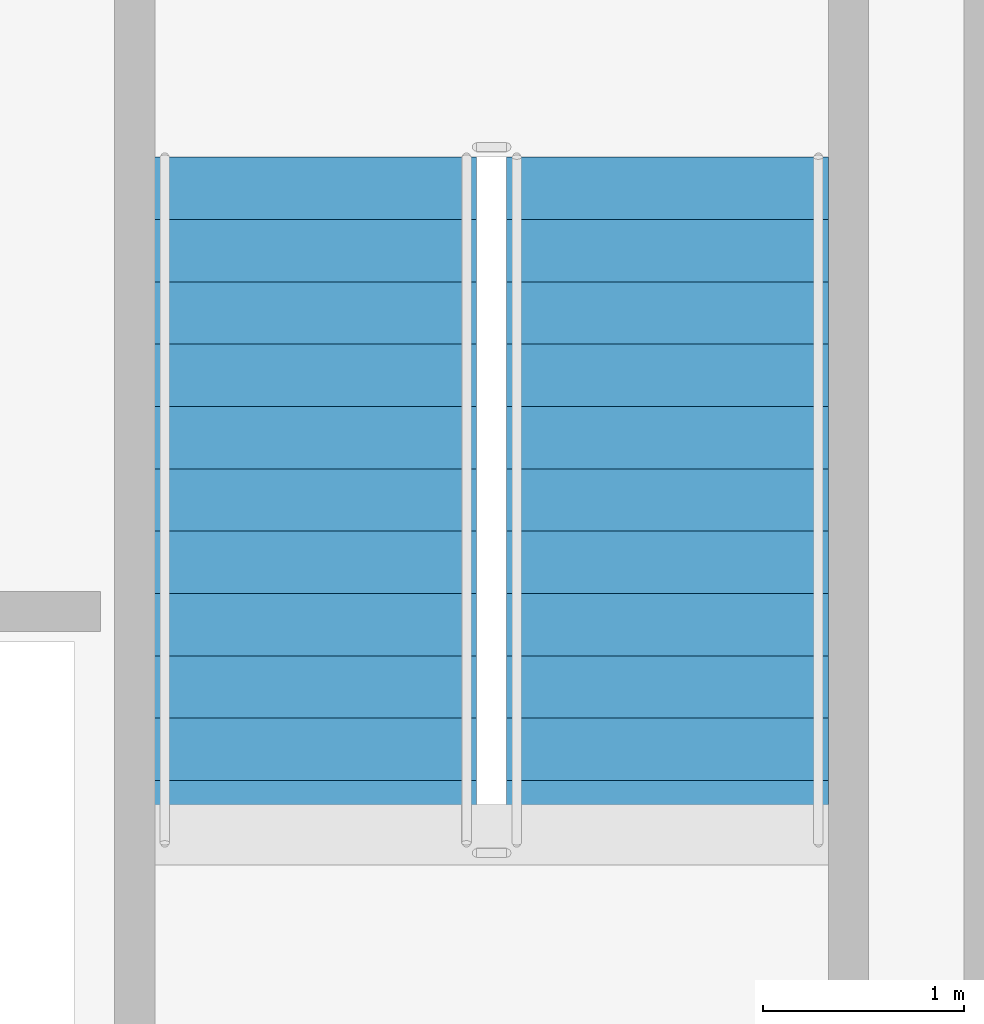
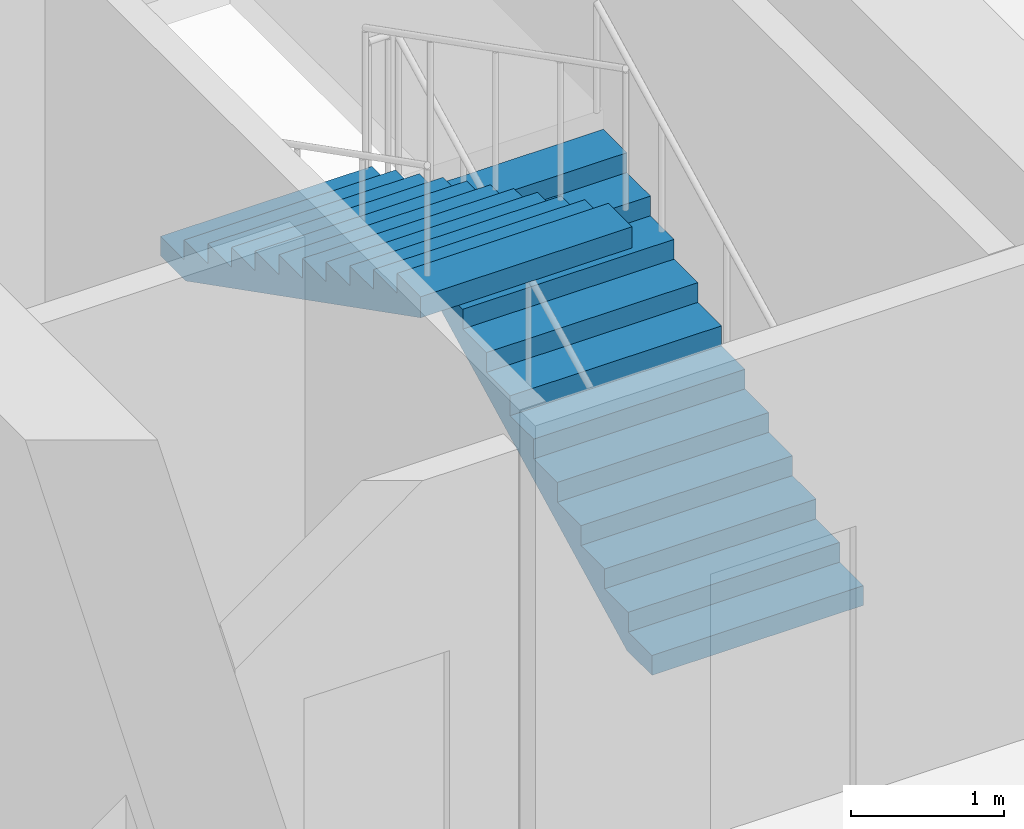
# One storey, part 10 of 14: 2 stair flights, 1 element without a shape of its own.
"""IFC4 building model written with IfcOpenShell, lengths in metres."""

import ifcopenshell
import ifcopenshell.guid

model = None  # the IFC model being written
_history = None  # IfcOwnerHistory: only IFC2X3 demands one
_inside = {}  # id of a spatial element -> (the spatial element, [elements in it])
_under = {}  # id of a project, library or spatial element -> (it, [spatial elements below it])
_declared = {}  # id of a project -> (the project, [libraries it declares])
_typed = {}  # id of a type object -> (the type object, [elements of that type])
_made_of = {}  # id of a material, layer set ... -> (it, [elements and type objects made of it])


def new_model(schema):
    """Start an empty IFC model of exactly this schema.

    Asked for "IFC4X3", IfcOpenShell would pick the latest addendum, in which some entities
    have other attributes; the version numbers below select the first issue.
    IFC2X3 requires an IfcOwnerHistory on every rooted entity: one is made here for all.
    """
    global model, _history
    if schema == "IFC4X3":
        model = ifcopenshell.file(schema_version=(4, 3, 0, 0))
    else:
        model = ifcopenshell.file(schema=schema)
    _inside.clear()
    _under.clear()
    _declared.clear()
    _typed.clear()
    _made_of.clear()
    _history = None
    if model.schema == "IFC2X3":
        org = make("IfcOrganization", Name="unknown")
        user = make(
            "IfcPersonAndOrganization",
            ThePerson=make("IfcPerson", FamilyName="unknown"),
            TheOrganization=org,
        )
        app = make(
            "IfcApplication",
            ApplicationDeveloper=org,
            Version="unknown",
            ApplicationFullName="unknown",
            ApplicationIdentifier="unknown",
        )
        _history = make(
            "IfcOwnerHistory",
            OwningUser=user,
            OwningApplication=app,
            ChangeAction="ADDED",
            CreationDate=0,
        )
    return model


def make(cls, **values):
    """One entity of the class cls with the attributes given. An attribute that is None is left unset."""
    return model.create_entity(
        cls, **{name: value for name, value in values.items() if value is not None}
    )


def rooted(cls, **values):
    """An entity with a GlobalId (a new one), such as an element, a storey or a relation."""
    return make(cls, GlobalId=ifcopenshell.guid.new(), OwnerHistory=_history, **values)


def si_unit(unit_type, name, prefix=None):
    """IfcSIUnit, for example si_unit("LENGTHUNIT", "METRE", prefix="MILLI")."""
    return make("IfcSIUnit", UnitType=unit_type, Prefix=prefix, Name=name)


def assignment(units):
    """IfcUnitAssignment: the units of a project."""
    return None if units is None else make("IfcUnitAssignment", Units=units)


def point(xyz):
    """IfcCartesianPoint."""
    return None if xyz is None else make("IfcCartesianPoint", Coordinates=xyz)


def direction(xyz):
    """IfcDirection."""
    return None if xyz is None else make("IfcDirection", DirectionRatios=xyz)


def frame(location, z_axis=None, x_axis=None):
    """IfcAxis2Placement3D, a coordinate frame: its origin and axes. An axis left out is left unset."""
    return make(
        "IfcAxis2Placement3D",
        Location=point(location),
        Axis=direction(z_axis),
        RefDirection=direction(x_axis),
    )


def origin():
    """The frame at (0, 0, 0) with its axes left unset."""
    return frame((0.0, 0.0, 0.0))


def place(relative_to, where):
    """IfcLocalPlacement: puts the frame where relative to a parent placement (None: the world)."""
    return make(
        "IfcLocalPlacement", PlacementRelTo=relative_to, RelativePlacement=where
    )


def context(
    kind, dimensions, precision=None, world=None, true_north=None, identifier=None
):
    """IfcGeometricRepresentationContext, for example the 3D "Model" context."""
    return make(
        "IfcGeometricRepresentationContext",
        ContextIdentifier=identifier,
        ContextType=kind,
        CoordinateSpaceDimension=dimensions,
        Precision=precision,
        WorldCoordinateSystem=world,
        TrueNorth=true_north,
    )


def subcontext(parent, identifier, kind, view, scale=None):
    """IfcGeometricRepresentationSubContext, for example "Body" below "Model"."""
    return make(
        "IfcGeometricRepresentationSubContext",
        ContextIdentifier=identifier,
        ContextType=kind,
        ParentContext=parent,
        TargetScale=scale,
        TargetView=view,
    )


def project(units=None, contexts=None):
    """IfcProject with its units and contexts."""
    return rooted(
        "IfcProject",
        Name="project",
        RepresentationContexts=contexts,
        UnitsInContext=assignment(units),
    )


def spatial(cls, under=None, at=None, **own):
    """A site, building, storey or space (cls), placed at a placement, below another one or the project."""
    s = rooted(cls, ObjectPlacement=at, **own)
    if under is not None:
        _under.setdefault(under.id(), (under, []))[1].append(s)
    return s


def polyline(points):
    """IfcPolyline through the points."""
    return make("IfcPolyline", Points=[point(p) for p in points])


def outline(outer, holes=None, kind="AREA"):
    """IfcArbitraryClosedProfileDef: a profile drawn as a closed curve; with holes, ...WithVoids."""
    if holes is None:
        return make("IfcArbitraryClosedProfileDef", ProfileType=kind, OuterCurve=outer)
    return make(
        "IfcArbitraryProfileDefWithVoids",
        ProfileType=kind,
        OuterCurve=outer,
        InnerCurves=holes,
    )


def extrude(swept, where, along, depth):
    """IfcExtrudedAreaSolid: the profile swept, set in the frame where, extruded along a direction by depth."""
    return make(
        "IfcExtrudedAreaSolid",
        SweptArea=swept,
        Position=where,
        ExtrudedDirection=direction(along),
        Depth=depth,
    )


def shape(context_of_items, identifier, shape_type, items):
    """IfcShapeRepresentation: the items that make up one representation, for example the "Body"."""
    return make(
        "IfcShapeRepresentation",
        ContextOfItems=context_of_items,
        RepresentationIdentifier=identifier,
        RepresentationType=shape_type,
        Items=items,
    )


def material(Name=None, Category=None):
    """IfcMaterial."""
    return make("IfcMaterial", Name=Name, Category=Category)


def made_of(thing, what):
    """Note that an element or type object is made of a material, layer set ...; save() writes the relation."""
    if what is not None:
        _made_of.setdefault(what.id(), (what, []))[1].append(thing)
    return thing


def type_object(cls, material=None, **own):
    """A type object (cls), such as IfcWallType, which elements share."""
    return made_of(rooted(cls, **own), material)


def element(
    cls,
    number,
    at=None,
    inside=None,
    cuts=None,
    type_object=None,
    material=None,
    context=None,
    identifier="Body",
    shape_type=None,
    held_by="IfcProductDefinitionShape",
    body=None,
    shapes=None,
    **own,
):
    """One element of the class cls, such as IfcWall. Its Tag is "e" and its number.

    at: its placement. inside: the storey or other place that contains it. cuts: it is an
    opening in that element (IfcRelVoidsElement). A single representation is given by context,
    identifier, shape_type and body (its items); several are given by shapes. held_by: the class
    of the entity that holds the representations. save() writes the other relations.
    """
    e = rooted(cls, Tag="e%d" % number, ObjectPlacement=at, **own)
    if body is not None:
        shapes = [shape(context, identifier, shape_type, body)]
    if shapes is not None:
        e.Representation = make(held_by, Representations=shapes)
    if inside is not None:
        _inside.setdefault(inside.id(), (inside, []))[1].append(e)
    if cuts is not None:
        rooted(
            "IfcRelVoidsElement", RelatingBuildingElement=cuts, RelatedOpeningElement=e
        )
    if type_object is not None:
        _typed.setdefault(type_object.id(), (type_object, []))[1].append(e)
    return made_of(e, material)


def aggregate(whole, parts):
    """IfcRelAggregates: a whole, such as a stair, and the parts it consists of."""
    return rooted("IfcRelAggregates", RelatingObject=whole, RelatedObjects=parts)


def save(model, path):
    """Write the relations noted so far, then the file.

    IfcRelAggregates (storeys below a building ...), IfcRelContainedInSpatialStructure (elements
    in a storey), IfcRelDefinesByType, IfcRelAssociatesMaterial and IfcRelDeclares: one each for
    every whole, place, type object, material and project.
    """
    for whole, parts in _under.values():
        aggregate(whole, parts)
    for where, things in _inside.values():
        rooted(
            "IfcRelContainedInSpatialStructure",
            RelatedElements=things,
            RelatingStructure=where,
        )
    for kind, things in _typed.values():
        rooted("IfcRelDefinesByType", RelatedObjects=things, RelatingType=kind)
    for what, things in _made_of.values():
        rooted("IfcRelAssociatesMaterial", RelatedObjects=things, RelatingMaterial=what)
    for by, libraries in _declared.values():
        rooted("IfcRelDeclares", RelatingContext=by, RelatedDefinitions=libraries)
    model.write(path)


model = new_model("IFC4")

# Units and contexts
model_context = context("Model", 3, precision=1e-05, world=origin(), true_north=direction((0.0, 1.0)))
body_context = subcontext(model_context, "Body", "Model", "MODEL_VIEW")
ifc_project = project(units=[si_unit("LENGTHUNIT", "METRE"), si_unit("AREAUNIT", "SQUARE_METRE"), si_unit("VOLUMEUNIT", "CUBIC_METRE"), si_unit("PLANEANGLEUNIT", "RADIAN"), si_unit("MASSUNIT", "GRAM", prefix="KILO")], contexts=[model_context])

# Site, building, storey
site_placement = place(None, origin())
site = spatial("IfcSite", under=ifc_project, at=site_placement, CompositionType="ELEMENT")
building_placement = place(site_placement, origin())
building = spatial("IfcBuilding", under=site, at=building_placement, Name="Vaeldorn Concourse Tower", CompositionType="ELEMENT")
storey_placement = place(building_placement, frame((0.0, 0.0, 126.199951171875)))
storey = spatial("IfcBuildingStorey", under=building, at=storey_placement, Name="L32", CompositionType="ELEMENT", Elevation=126.199951171875)

# Stair, stair flights
ifc_material = material(Name="Precast concrete C40/50", Category="concrete")
stair_type = type_object("IfcStairType", Name="STR-DOG-24x158", PredefinedType="HALF_TURN_STAIR", material=ifc_material)
stair_placement = place(storey_placement, origin())
stair = element("IfcStair", 1, at=stair_placement, inside=storey, type_object=stair_type, Name="L32 East Core Exit Stair ST-2", PredefinedType="HALF_TURN_STAIR")
stair_flight_type = type_object("IfcStairFlightType", Name="STF-STR-12x158", PredefinedType="STRAIGHT", material=ifc_material)
stair_flight_1_placement = place(storey_placement, frame((52.14990234375, 41.60009765625, 0.0), z_axis=(0.0, 0.0, 1.0), x_axis=(0.0, 1.0, 0.0)))
stair_flight_1 = element("IfcStairFlight", 2, at=stair_flight_1_placement, type_object=stair_flight_type, Name="ST-2 flight 1", NumberOfRisers=12, NumberOfTreads=11, PredefinedType="STRAIGHT", RiserHeight=0.158333333, TreadLength=0.31, context=body_context, shape_type="SweptSolid", body=[
    extrude(outline(polyline([(0.0, 0.0), (0.0, 0.158447265625), (0.31005859375, 0.158447265625), (0.31005859375, 0.316650390625), (0.6201171875, 0.316650390625), (0.6201171875, 0.47509765625), (0.929931640625, 0.47509765625), (0.929931640625, 0.63330078125), (1.239990234375, 0.63330078125), (1.239990234375, 0.791748046875), (1.550048828125, 0.791748046875), (1.550048828125, 0.949951171875), (1.860107421875, 0.949951171875), (1.860107421875, 1.1083984375), (2.169921875, 1.1083984375), (2.169921875, 1.2666015625), (2.47998046875, 1.2666015625), (2.47998046875, 1.425048828125), (2.7900390625, 1.425048828125), (2.7900390625, 1.583251953125), (3.10009765625, 1.583251953125), (3.10009765625, 1.74169921875), (3.409912109375, 1.74169921875), (3.409912109375, 1.89990234375), (3.409912109375, 1.5732421875), (0.32958984375, 0.0), (0.0, 0.0)])), frame((0.0, 0.800048828125, 0.0), z_axis=(0.0, -1.0, 0.0), x_axis=(1.0, 0.0, 0.0)), (0.0, 0.0, 1.0), 1.60009765625),
])
stair_flight_2_placement = place(storey_placement, frame((50.39990234375, 45.010009765625, 1.900146484375), z_axis=(0.0, 0.0, 1.0), x_axis=(0.0, -1.0, 0.0)))
stair_flight_2 = element("IfcStairFlight", 3, at=stair_flight_2_placement, type_object=stair_flight_type, Name="ST-2 flight 2", NumberOfRisers=12, NumberOfTreads=11, PredefinedType="STRAIGHT", RiserHeight=0.158333333, TreadLength=0.31, context=body_context, shape_type="SweptSolid", body=[
    extrude(outline(polyline([(0.0, 0.0), (0.0, 0.158447265625), (0.31005859375, 0.158447265625), (0.31005859375, 0.316650390625), (0.6201171875, 0.316650390625), (0.6201171875, 0.47509765625), (0.929931640625, 0.47509765625), (0.929931640625, 0.63330078125), (1.239990234375, 0.63330078125), (1.239990234375, 0.791748046875), (1.550048828125, 0.791748046875), (1.550048828125, 0.949951171875), (1.860107421875, 0.949951171875), (1.860107421875, 1.1083984375), (2.169921875, 1.1083984375), (2.169921875, 1.2666015625), (2.47998046875, 1.2666015625), (2.47998046875, 1.425048828125), (2.7900390625, 1.425048828125), (2.7900390625, 1.583251953125), (3.10009765625, 1.583251953125), (3.10009765625, 1.74169921875), (3.409912109375, 1.74169921875), (3.409912109375, 1.89990234375), (3.409912109375, 1.5732421875), (0.32958984375, 0.0), (0.0, 0.0)])), frame((0.0, 0.800048828125, 0.0), z_axis=(0.0, -1.0, 0.0), x_axis=(1.0, 0.0, 0.0)), (0.0, 0.0, 1.0), 1.60009765625),
])
aggregate(stair, [stair_flight_1, stair_flight_2])

save(model, "model.ifc")
